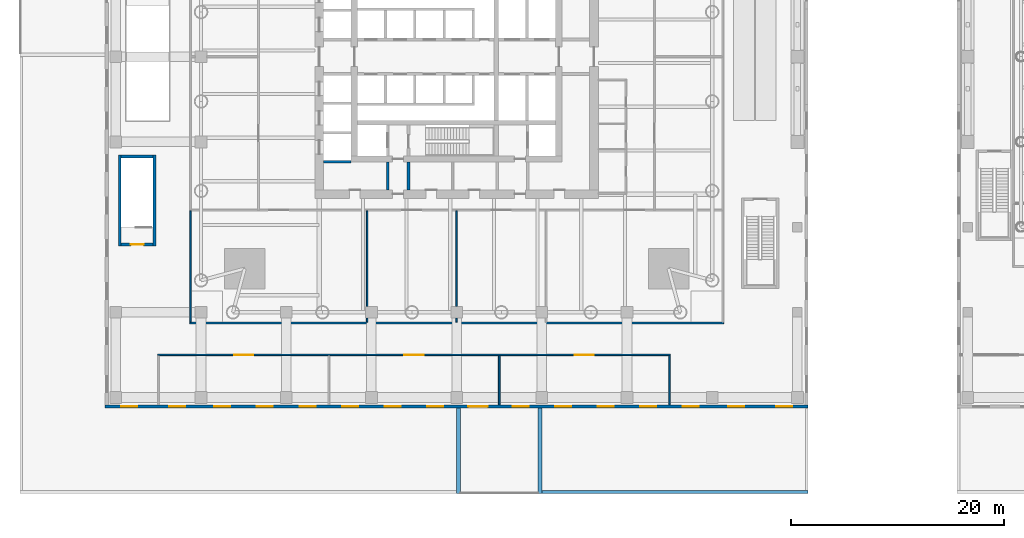
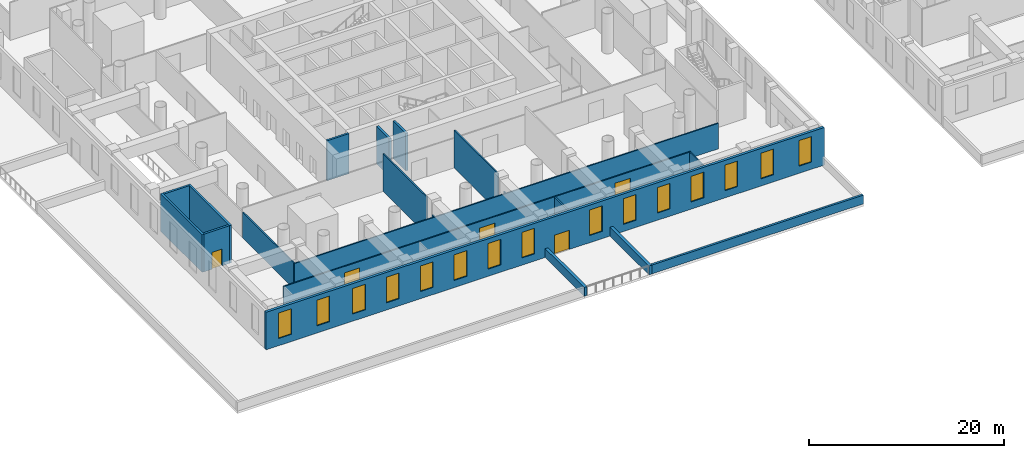
# One storey, part 8 of 26: 20 walls, 15 windows, 5 doors, 20 openings.
"""IFC4 building model written with IfcOpenShell, lengths in metres."""

from ifc_helpers import new_model, si_unit, direction, frame, frame_2d, origin, place, context, subcontext, project, spatial, rectangle, extrude, material, layer, layer_set, type_object, element, fill, save


model = new_model("IFC4")

# Units and contexts
model_context = context("Model", 3, precision=1e-05, world=origin(), true_north=direction((0.0, 1.0)))
body_context = subcontext(model_context, "Body", "Model", "MODEL_VIEW")
ifc_project = project(units=[si_unit("LENGTHUNIT", "METRE"), si_unit("AREAUNIT", "SQUARE_METRE"), si_unit("VOLUMEUNIT", "CUBIC_METRE"), si_unit("PLANEANGLEUNIT", "RADIAN"), si_unit("MASSUNIT", "GRAM", prefix="KILO")], contexts=[model_context])

# Site, building, storey
site_placement = place(None, origin())
site = spatial("IfcSite", under=ifc_project, at=site_placement, CompositionType="ELEMENT")
building_placement = place(site_placement, origin())
building = spatial("IfcBuilding", under=site, at=building_placement, Name="Ostroluk Exchange", CompositionType="ELEMENT")
storey_placement = place(building_placement, frame((0.0, 0.0, 6.0)))
storey = spatial("IfcBuildingStorey", under=building, at=storey_placement, Name="L01", CompositionType="ELEMENT", Elevation=6.0)

# Walls
ifc_material_1 = material(Name="Concrete blockwork", Category="masonry")
ifc_layer_1 = layer(ifc_material_1, 0.25)
ifc_layer_set_1 = layer_set([ifc_layer_1], Name="Blockwork stair enclosure wall 250")
wall_type_1 = type_object("IfcWallType", Name="Blockwork stair enclosure wall 250", PredefinedType="SOLIDWALL", material=ifc_layer_set_1)
for number, where, z_axis, x_axis, name in (
    (1, (38.52490234375, 33.5, 0.0), (0.0, 0.0, 1.0), (0.0, 1.0, 0.0), "Fire lobby enclosure wall"),
    (2, (40.47509765625, 33.5, 0.0), (0.0, 0.0, 1.0), (0.0, 1.0, 0.0), "Fire lobby enclosure wall"),
):
    element("IfcWall", number, at=place(storey_placement, frame(where, z_axis=z_axis, x_axis=x_axis)), inside=storey, type_object=wall_type_1, Name=name, PredefinedType="SOLIDWALL", context=body_context, shape_type="SweptSolid", body=[
        extrude(rectangle(XDim=2.60009765625, YDim=0.25, at=frame_2d((1.300048828125, 0.0))), origin(), (0.0, 0.0, 1.0), 4.699951171875),
    ])
for number, where, z_axis, x_axis, name in (
    (3, (13.375, 28.25, 0.0), (0.0, 0.0, 1.0), (0.0, 1.0, 0.0), "Stair PS1 enclosure wall"),
    (4, (16.625, 28.25, 0.0), (0.0, 0.0, 1.0), (0.0, 1.0, 0.0), "Stair PS1 enclosure wall"),
):
    element("IfcWall", number, at=place(storey_placement, frame(where, z_axis=z_axis, x_axis=x_axis)), inside=storey, type_object=wall_type_1, Name=name, PredefinedType="SOLIDWALL", context=body_context, shape_type="SweptSolid", body=[
        extrude(rectangle(XDim=8.5, YDim=0.25, at=frame_2d((4.25, 0.0))), origin(), (0.0, 0.0, 1.0), 4.699951171875),
    ])

# Wall, opening, door
wall_1_placement = place(storey_placement, frame((13.5, 28.375, 0.0), z_axis=(0.0, 0.0, 1.0), x_axis=(1.0, 0.0, 0.0)))
wall_1 = element("IfcWall", 5, at=wall_1_placement, inside=storey, type_object=wall_type_1, Name="Stair PS1 enclosure wall", PredefinedType="SOLIDWALL", context=body_context, shape_type="SweptSolid", body=[
    extrude(rectangle(XDim=3.0, YDim=0.25, at=frame_2d((1.5, 0.0))), origin(), (0.0, 0.0, 1.0), 4.699951171875),
])
opening_1_placement = place(wall_1_placement, frame((0.89990234375, 0.0, 0.0)))
opening_1 = element("IfcOpeningElement", 6, at=opening_1_placement, cuts=wall_1, Name="Opening FD60S", PredefinedType="OPENING", context=body_context, shape_type="SweptSolid", body=[
    extrude(rectangle(XDim=1.199951171875, YDim=2.10009765625, at=frame_2d((0.60009765625, 1.050048828125))), frame((0.0, 0.135009765625, 0.0), z_axis=(0.0, -1.0, 0.0), x_axis=(1.0, 0.0, 0.0)), (0.0, 0.0, 1.0), 0.27001953125),
])
ifc_material_2 = material(Name="Steel", Category="steel")
door_type_1 = type_object("IfcDoorType", Name="Stair door EI 60 1200 x 2100", OperationType="SINGLE_SWING_LEFT", PredefinedType="DOOR", material=ifc_material_2)
door_1_placement = place(opening_1_placement, origin())
door_1 = element("IfcDoor", 7, at=door_1_placement, inside=storey, type_object=door_type_1, Name="Stair PS1 door", OperationType="SINGLE_SWING_LEFT", OverallHeight=2.10009765625, OverallWidth=1.199951171875, PredefinedType="DOOR", context=body_context, shape_type="SweptSolid", body=[
    extrude(rectangle(XDim=1.199951171875, YDim=2.10009765625, at=frame_2d((0.60009765625, 1.050048828125))), frame((0.0, 0.02490234375, 0.0), z_axis=(0.0, -1.0, 0.0), x_axis=(1.0, 0.0, 0.0)), (0.0, 0.0, 1.0), 0.050048828125),
])
fill(opening_1, door_1)

# Walls
wall_2_placement = place(storey_placement, frame((13.5, 36.625, 0.0), z_axis=(0.0, 0.0, 1.0), x_axis=(1.0, 0.0, 0.0)))
element("IfcWall", 8, at=wall_2_placement, inside=storey, type_object=wall_type_1, Name="Stair PS1 enclosure wall", PredefinedType="SOLIDWALL", context=body_context, shape_type="SweptSolid", body=[
    extrude(rectangle(XDim=3.0, YDim=0.25, at=frame_2d((1.5, 0.0))), origin(), (0.0, 0.0, 1.0), 4.699951171875),
])
ifc_material_3 = material(Name="Concrete C40/50", Category="concrete")
ifc_layer_2 = layer(ifc_material_3, 0.25)
ifc_layer_set_2 = layer_set([ifc_layer_2], Name="Core shaft wall 250")
wall_type_2 = type_object("IfcWallType", Name="Core shaft wall 250", PredefinedType="SHEAR", material=ifc_layer_set_2)
wall_3_placement = place(storey_placement, frame((32.5, 36.125, 0.0), z_axis=(0.0, 0.0, 1.0), x_axis=(1.0, 0.0, 0.0)))
element("IfcWall", 9, at=wall_3_placement, inside=storey, type_object=wall_type_2, Name="Lift shaft wall", PredefinedType="SHEAR", context=body_context, shape_type="SweptSolid", body=[
    extrude(rectangle(XDim=2.60009765625, YDim=0.25, at=frame_2d((1.300048828125, 0.0))), origin(), (0.0, 0.0, 1.0), 5.0),
])
ifc_material_4 = material(Name="Limestone", Category="masonry")
ifc_layer_3 = layer(ifc_material_4, 0.25)
ifc_layer_set_3 = layer_set([ifc_layer_3], Name="Green roof parapet 250")
wall_type_3 = type_object("IfcWallType", Name="Green roof parapet 250", PredefinedType="PARAPET", material=ifc_layer_set_3)
wall_4_placement = place(storey_placement, frame((53.010009765625, 5.125, 0.0), z_axis=(0.0, 0.0, 1.0), x_axis=(1.0, 0.0, 0.0)))
element("IfcWall", 10, at=wall_4_placement, inside=storey, type_object=wall_type_3, Name="Green roof parapet L01 1", PredefinedType="PARAPET", context=body_context, shape_type="SweptSolid", body=[
    extrude(rectangle(XDim=24.989990234375, YDim=0.25, at=frame_2d((12.4951171875, 0.0))), origin(), (0.0, 0.0, 1.0), 1.10009765625),
])

# Wall, openings, windows, door
ifc_material_5 = material(Name="Limestone", Category="masonry")
ifc_layer_4 = layer(ifc_material_5, 0.300048828125)
ifc_layer_set_4 = layer_set([ifc_layer_4], Name="Limestone facade wall 300")
wall_type_4 = type_object("IfcWallType", Name="Limestone facade wall 300", PredefinedType="SOLIDWALL", material=ifc_layer_set_4)
wall_5_placement = place(storey_placement, frame((12.0, 13.14990234375, 0.0), z_axis=(0.0, 0.0, 1.0), x_axis=(1.0, 0.0, 0.0)))
wall_5 = element("IfcWall", 11, at=wall_5_placement, inside=storey, type_object=wall_type_4, Name="Podium west S wall L01 1a", PredefinedType="SOLIDWALL", context=body_context, shape_type="SweptSolid", body=[
    extrude(rectangle(XDim=66.0, YDim=0.300048828125, at=frame_2d((33.0, 0.0))), origin(), (0.0, 0.0, 1.0), 4.699951171875),
])
opening_2_placement = place(wall_5_placement, frame((1.5, 0.0, 0.89990234375)))
opening_2 = element("IfcOpeningElement", 12, at=opening_2_placement, cuts=wall_5, Name="Opening WN-L2", PredefinedType="OPENING", context=body_context, shape_type="SweptSolid", body=[
    extrude(rectangle(XDim=1.5, YDim=3.199951171875, at=frame_2d((0.75, 1.60009765625))), frame((0.0, 0.159912109375, 0.0), z_axis=(0.0, -1.0, 0.0), x_axis=(1.0, 0.0, 0.0)), (0.0, 0.0, 1.0), 0.320068359375),
])
opening_3_placement = place(wall_5_placement, frame((6.0, 0.0, 0.89990234375)))
opening_3 = element("IfcOpeningElement", 13, at=opening_3_placement, cuts=wall_5, Name="Opening WN-L2", PredefinedType="OPENING", context=body_context, shape_type="SweptSolid", body=[
    extrude(rectangle(XDim=1.5, YDim=3.199951171875, at=frame_2d((0.75, 1.60009765625))), frame((0.0, 0.159912109375, 0.0), z_axis=(0.0, -1.0, 0.0), x_axis=(1.0, 0.0, 0.0)), (0.0, 0.0, 1.0), 0.320068359375),
])
opening_4_placement = place(wall_5_placement, frame((10.25, 0.0, 0.89990234375)))
opening_4 = element("IfcOpeningElement", 14, at=opening_4_placement, cuts=wall_5, Name="Opening WN-L2", PredefinedType="OPENING", context=body_context, shape_type="SweptSolid", body=[
    extrude(rectangle(XDim=1.5, YDim=3.199951171875, at=frame_2d((0.75, 1.60009765625))), frame((0.0, 0.159912109375, 0.0), z_axis=(0.0, -1.0, 0.0), x_axis=(1.0, 0.0, 0.0)), (0.0, 0.0, 1.0), 0.320068359375),
])
opening_5_placement = place(wall_5_placement, frame((14.25, 0.0, 0.89990234375)))
opening_5 = element("IfcOpeningElement", 15, at=opening_5_placement, cuts=wall_5, Name="Opening WN-L2", PredefinedType="OPENING", context=body_context, shape_type="SweptSolid", body=[
    extrude(rectangle(XDim=1.5, YDim=3.199951171875, at=frame_2d((0.75, 1.60009765625))), frame((0.0, 0.159912109375, 0.0), z_axis=(0.0, -1.0, 0.0), x_axis=(1.0, 0.0, 0.0)), (0.0, 0.0, 1.0), 0.320068359375),
])
opening_6_placement = place(wall_5_placement, frame((18.25, 0.0, 0.89990234375)))
opening_6 = element("IfcOpeningElement", 16, at=opening_6_placement, cuts=wall_5, Name="Opening WN-L2", PredefinedType="OPENING", context=body_context, shape_type="SweptSolid", body=[
    extrude(rectangle(XDim=1.5, YDim=3.199951171875, at=frame_2d((0.75, 1.60009765625))), frame((0.0, 0.159912109375, 0.0), z_axis=(0.0, -1.0, 0.0), x_axis=(1.0, 0.0, 0.0)), (0.0, 0.0, 1.0), 0.320068359375),
])
opening_7_placement = place(wall_5_placement, frame((22.25, 0.0, 0.89990234375)))
opening_7 = element("IfcOpeningElement", 17, at=opening_7_placement, cuts=wall_5, Name="Opening WN-L2", PredefinedType="OPENING", context=body_context, shape_type="SweptSolid", body=[
    extrude(rectangle(XDim=1.5, YDim=3.199951171875, at=frame_2d((0.75, 1.60009765625))), frame((0.0, 0.159912109375, 0.0), z_axis=(0.0, -1.0, 0.0), x_axis=(1.0, 0.0, 0.0)), (0.0, 0.0, 1.0), 0.320068359375),
])
opening_8_placement = place(wall_5_placement, frame((26.25, 0.0, 0.89990234375)))
opening_8 = element("IfcOpeningElement", 18, at=opening_8_placement, cuts=wall_5, Name="Opening WN-L2", PredefinedType="OPENING", context=body_context, shape_type="SweptSolid", body=[
    extrude(rectangle(XDim=1.5, YDim=3.199951171875, at=frame_2d((0.75, 1.60009765625))), frame((0.0, 0.159912109375, 0.0), z_axis=(0.0, -1.0, 0.0), x_axis=(1.0, 0.0, 0.0)), (0.0, 0.0, 1.0), 0.320068359375),
])
opening_9_placement = place(wall_5_placement, frame((30.25, 0.0, 0.89990234375)))
opening_9 = element("IfcOpeningElement", 19, at=opening_9_placement, cuts=wall_5, Name="Opening WN-L2", PredefinedType="OPENING", context=body_context, shape_type="SweptSolid", body=[
    extrude(rectangle(XDim=1.5, YDim=3.199951171875, at=frame_2d((0.75, 1.60009765625))), frame((0.0, 0.159912109375, 0.0), z_axis=(0.0, -1.0, 0.0), x_axis=(1.0, 0.0, 0.0)), (0.0, 0.0, 1.0), 0.320068359375),
])
opening_10_placement = place(wall_5_placement, frame((34.10009765625, 0.0, 0.0)))
opening_10 = element("IfcOpeningElement", 20, at=opening_10_placement, cuts=wall_5, Name="Opening D-T1", PredefinedType="OPENING", context=body_context, shape_type="SweptSolid", body=[
    extrude(rectangle(XDim=1.800048828125, YDim=2.39990234375, at=frame_2d((0.89990234375, 1.199951171875))), frame((0.0, 0.159912109375, 0.0), z_axis=(0.0, -1.0, 0.0), x_axis=(1.0, 0.0, 0.0)), (0.0, 0.0, 1.0), 0.320068359375),
])
opening_11_placement = place(wall_5_placement, frame((38.25, 0.0, 0.89990234375)))
opening_11 = element("IfcOpeningElement", 21, at=opening_11_placement, cuts=wall_5, Name="Opening WN-L2", PredefinedType="OPENING", context=body_context, shape_type="SweptSolid", body=[
    extrude(rectangle(XDim=1.5, YDim=3.199951171875, at=frame_2d((0.75, 1.60009765625))), frame((0.0, 0.159912109375, 0.0), z_axis=(0.0, -1.0, 0.0), x_axis=(1.0, 0.0, 0.0)), (0.0, 0.0, 1.0), 0.320068359375),
])
opening_12_placement = place(wall_5_placement, frame((42.25, 0.0, 0.89990234375)))
opening_12 = element("IfcOpeningElement", 22, at=opening_12_placement, cuts=wall_5, Name="Opening WN-L2", PredefinedType="OPENING", context=body_context, shape_type="SweptSolid", body=[
    extrude(rectangle(XDim=1.5, YDim=3.199951171875, at=frame_2d((0.75, 1.60009765625))), frame((0.0, 0.159912109375, 0.0), z_axis=(0.0, -1.0, 0.0), x_axis=(1.0, 0.0, 0.0)), (0.0, 0.0, 1.0), 0.320068359375),
])
opening_13_placement = place(wall_5_placement, frame((46.25, 0.0, 0.89990234375)))
opening_13 = element("IfcOpeningElement", 23, at=opening_13_placement, cuts=wall_5, Name="Opening WN-L2", PredefinedType="OPENING", context=body_context, shape_type="SweptSolid", body=[
    extrude(rectangle(XDim=1.5, YDim=3.199951171875, at=frame_2d((0.75, 1.60009765625))), frame((0.0, 0.159912109375, 0.0), z_axis=(0.0, -1.0, 0.0), x_axis=(1.0, 0.0, 0.0)), (0.0, 0.0, 1.0), 0.320068359375),
])
opening_14_placement = place(wall_5_placement, frame((50.25, 0.0, 0.89990234375)))
opening_14 = element("IfcOpeningElement", 24, at=opening_14_placement, cuts=wall_5, Name="Opening WN-L2", PredefinedType="OPENING", context=body_context, shape_type="SweptSolid", body=[
    extrude(rectangle(XDim=1.5, YDim=3.199951171875, at=frame_2d((0.75, 1.60009765625))), frame((0.0, 0.159912109375, 0.0), z_axis=(0.0, -1.0, 0.0), x_axis=(1.0, 0.0, 0.0)), (0.0, 0.0, 1.0), 0.320068359375),
])
opening_15_placement = place(wall_5_placement, frame((54.25, 0.0, 0.89990234375)))
opening_15 = element("IfcOpeningElement", 25, at=opening_15_placement, cuts=wall_5, Name="Opening WN-L2", PredefinedType="OPENING", context=body_context, shape_type="SweptSolid", body=[
    extrude(rectangle(XDim=1.5, YDim=3.199951171875, at=frame_2d((0.75, 1.60009765625))), frame((0.0, 0.159912109375, 0.0), z_axis=(0.0, -1.0, 0.0), x_axis=(1.0, 0.0, 0.0)), (0.0, 0.0, 1.0), 0.320068359375),
])
opening_16_placement = place(wall_5_placement, frame((58.5, 0.0, 0.89990234375)))
opening_16 = element("IfcOpeningElement", 26, at=opening_16_placement, cuts=wall_5, Name="Opening WN-L2", PredefinedType="OPENING", context=body_context, shape_type="SweptSolid", body=[
    extrude(rectangle(XDim=1.5, YDim=3.199951171875, at=frame_2d((0.75, 1.60009765625))), frame((0.0, 0.159912109375, 0.0), z_axis=(0.0, -1.0, 0.0), x_axis=(1.0, 0.0, 0.0)), (0.0, 0.0, 1.0), 0.320068359375),
])
opening_17_placement = place(wall_5_placement, frame((63.0, 0.0, 0.89990234375)))
opening_17 = element("IfcOpeningElement", 27, at=opening_17_placement, cuts=wall_5, Name="Opening WN-L2", PredefinedType="OPENING", context=body_context, shape_type="SweptSolid", body=[
    extrude(rectangle(XDim=1.5, YDim=3.199951171875, at=frame_2d((0.75, 1.60009765625))), frame((0.0, 0.159912109375, 0.0), z_axis=(0.0, -1.0, 0.0), x_axis=(1.0, 0.0, 0.0)), (0.0, 0.0, 1.0), 0.320068359375),
])
ifc_material_6 = material(Name="Laminated clear glass", Category="glass")
window_type = type_object("IfcWindowType", Name="Podium lancet window 1500 x 3200", PartitioningType="DOUBLE_PANEL_VERTICAL", PredefinedType="WINDOW", material=ifc_material_6)
window_1_placement = place(opening_2_placement, origin())
window_1 = element("IfcWindow", 28, at=window_1_placement, inside=storey, type_object=window_type, Name="Podium west lancet window S L01 1.1", OverallHeight=3.199951171875, OverallWidth=1.5, PartitioningType="SINGLE_PANEL", PredefinedType="WINDOW", context=body_context, shape_type="SweptSolid", body=[
    extrude(rectangle(XDim=1.5, YDim=3.199951171875, at=frame_2d((0.75, 1.60009765625))), frame((0.0, 0.030029296875, 0.0), z_axis=(0.0, -1.0, 0.0), x_axis=(1.0, 0.0, 0.0)), (0.0, 0.0, 1.0), 0.06005859375),
])
fill(opening_2, window_1)
window_2_placement = place(opening_3_placement, origin())
window_2 = element("IfcWindow", 29, at=window_2_placement, inside=storey, type_object=window_type, Name="Podium west lancet window S L01 1.2", OverallHeight=3.199951171875, OverallWidth=1.5, PartitioningType="SINGLE_PANEL", PredefinedType="WINDOW", context=body_context, shape_type="SweptSolid", body=[
    extrude(rectangle(XDim=1.5, YDim=3.199951171875, at=frame_2d((0.75, 1.60009765625))), frame((0.0, 0.030029296875, 0.0), z_axis=(0.0, -1.0, 0.0), x_axis=(1.0, 0.0, 0.0)), (0.0, 0.0, 1.0), 0.06005859375),
])
fill(opening_3, window_2)
window_3_placement = place(opening_4_placement, origin())
window_3 = element("IfcWindow", 30, at=window_3_placement, inside=storey, type_object=window_type, Name="Podium west lancet window S L01 2.1", OverallHeight=3.199951171875, OverallWidth=1.5, PartitioningType="SINGLE_PANEL", PredefinedType="WINDOW", context=body_context, shape_type="SweptSolid", body=[
    extrude(rectangle(XDim=1.5, YDim=3.199951171875, at=frame_2d((0.75, 1.60009765625))), frame((0.0, 0.030029296875, 0.0), z_axis=(0.0, -1.0, 0.0), x_axis=(1.0, 0.0, 0.0)), (0.0, 0.0, 1.0), 0.06005859375),
])
fill(opening_4, window_3)
window_4_placement = place(opening_5_placement, origin())
window_4 = element("IfcWindow", 31, at=window_4_placement, inside=storey, type_object=window_type, Name="Podium west lancet window S L01 2.2", OverallHeight=3.199951171875, OverallWidth=1.5, PartitioningType="SINGLE_PANEL", PredefinedType="WINDOW", context=body_context, shape_type="SweptSolid", body=[
    extrude(rectangle(XDim=1.5, YDim=3.199951171875, at=frame_2d((0.75, 1.60009765625))), frame((0.0, 0.030029296875, 0.0), z_axis=(0.0, -1.0, 0.0), x_axis=(1.0, 0.0, 0.0)), (0.0, 0.0, 1.0), 0.06005859375),
])
fill(opening_5, window_4)
window_5_placement = place(opening_6_placement, origin())
window_5 = element("IfcWindow", 32, at=window_5_placement, inside=storey, type_object=window_type, Name="Podium west lancet window S L01 3.1", OverallHeight=3.199951171875, OverallWidth=1.5, PartitioningType="SINGLE_PANEL", PredefinedType="WINDOW", context=body_context, shape_type="SweptSolid", body=[
    extrude(rectangle(XDim=1.5, YDim=3.199951171875, at=frame_2d((0.75, 1.60009765625))), frame((0.0, 0.030029296875, 0.0), z_axis=(0.0, -1.0, 0.0), x_axis=(1.0, 0.0, 0.0)), (0.0, 0.0, 1.0), 0.06005859375),
])
fill(opening_6, window_5)
window_6_placement = place(opening_7_placement, origin())
window_6 = element("IfcWindow", 33, at=window_6_placement, inside=storey, type_object=window_type, Name="Podium west lancet window S L01 3.2", OverallHeight=3.199951171875, OverallWidth=1.5, PartitioningType="SINGLE_PANEL", PredefinedType="WINDOW", context=body_context, shape_type="SweptSolid", body=[
    extrude(rectangle(XDim=1.5, YDim=3.199951171875, at=frame_2d((0.75, 1.60009765625))), frame((0.0, 0.030029296875, 0.0), z_axis=(0.0, -1.0, 0.0), x_axis=(1.0, 0.0, 0.0)), (0.0, 0.0, 1.0), 0.06005859375),
])
fill(opening_7, window_6)
window_7_placement = place(opening_8_placement, origin())
window_7 = element("IfcWindow", 34, at=window_7_placement, inside=storey, type_object=window_type, Name="Podium west lancet window S L01 4.1", OverallHeight=3.199951171875, OverallWidth=1.5, PartitioningType="SINGLE_PANEL", PredefinedType="WINDOW", context=body_context, shape_type="SweptSolid", body=[
    extrude(rectangle(XDim=1.5, YDim=3.199951171875, at=frame_2d((0.75, 1.60009765625))), frame((0.0, 0.030029296875, 0.0), z_axis=(0.0, -1.0, 0.0), x_axis=(1.0, 0.0, 0.0)), (0.0, 0.0, 1.0), 0.06005859375),
])
fill(opening_8, window_7)
window_8_placement = place(opening_9_placement, origin())
window_8 = element("IfcWindow", 35, at=window_8_placement, inside=storey, type_object=window_type, Name="Podium west lancet window S L01 4.2", OverallHeight=3.199951171875, OverallWidth=1.5, PartitioningType="SINGLE_PANEL", PredefinedType="WINDOW", context=body_context, shape_type="SweptSolid", body=[
    extrude(rectangle(XDim=1.5, YDim=3.199951171875, at=frame_2d((0.75, 1.60009765625))), frame((0.0, 0.030029296875, 0.0), z_axis=(0.0, -1.0, 0.0), x_axis=(1.0, 0.0, 0.0)), (0.0, 0.0, 1.0), 0.06005859375),
])
fill(opening_9, window_8)
window_9_placement = place(opening_11_placement, origin())
window_9 = element("IfcWindow", 36, at=window_9_placement, inside=storey, type_object=window_type, Name="Podium west lancet window S L01 5.2", OverallHeight=3.199951171875, OverallWidth=1.5, PartitioningType="SINGLE_PANEL", PredefinedType="WINDOW", context=body_context, shape_type="SweptSolid", body=[
    extrude(rectangle(XDim=1.5, YDim=3.199951171875, at=frame_2d((0.75, 1.60009765625))), frame((0.0, 0.030029296875, 0.0), z_axis=(0.0, -1.0, 0.0), x_axis=(1.0, 0.0, 0.0)), (0.0, 0.0, 1.0), 0.06005859375),
])
fill(opening_11, window_9)
window_10_placement = place(opening_12_placement, origin())
window_10 = element("IfcWindow", 37, at=window_10_placement, inside=storey, type_object=window_type, Name="Podium west lancet window S L01 6.1", OverallHeight=3.199951171875, OverallWidth=1.5, PartitioningType="SINGLE_PANEL", PredefinedType="WINDOW", context=body_context, shape_type="SweptSolid", body=[
    extrude(rectangle(XDim=1.5, YDim=3.199951171875, at=frame_2d((0.75, 1.60009765625))), frame((0.0, 0.030029296875, 0.0), z_axis=(0.0, -1.0, 0.0), x_axis=(1.0, 0.0, 0.0)), (0.0, 0.0, 1.0), 0.06005859375),
])
fill(opening_12, window_10)
window_11_placement = place(opening_13_placement, origin())
window_11 = element("IfcWindow", 38, at=window_11_placement, inside=storey, type_object=window_type, Name="Podium west lancet window S L01 6.2", OverallHeight=3.199951171875, OverallWidth=1.5, PartitioningType="SINGLE_PANEL", PredefinedType="WINDOW", context=body_context, shape_type="SweptSolid", body=[
    extrude(rectangle(XDim=1.5, YDim=3.199951171875, at=frame_2d((0.75, 1.60009765625))), frame((0.0, 0.030029296875, 0.0), z_axis=(0.0, -1.0, 0.0), x_axis=(1.0, 0.0, 0.0)), (0.0, 0.0, 1.0), 0.06005859375),
])
fill(opening_13, window_11)
window_12_placement = place(opening_14_placement, origin())
window_12 = element("IfcWindow", 39, at=window_12_placement, inside=storey, type_object=window_type, Name="Podium west lancet window S L01 7.1", OverallHeight=3.199951171875, OverallWidth=1.5, PartitioningType="SINGLE_PANEL", PredefinedType="WINDOW", context=body_context, shape_type="SweptSolid", body=[
    extrude(rectangle(XDim=1.5, YDim=3.199951171875, at=frame_2d((0.75, 1.60009765625))), frame((0.0, 0.030029296875, 0.0), z_axis=(0.0, -1.0, 0.0), x_axis=(1.0, 0.0, 0.0)), (0.0, 0.0, 1.0), 0.06005859375),
])
fill(opening_14, window_12)
window_13_placement = place(opening_15_placement, origin())
window_13 = element("IfcWindow", 40, at=window_13_placement, inside=storey, type_object=window_type, Name="Podium west lancet window S L01 7.2", OverallHeight=3.199951171875, OverallWidth=1.5, PartitioningType="SINGLE_PANEL", PredefinedType="WINDOW", context=body_context, shape_type="SweptSolid", body=[
    extrude(rectangle(XDim=1.5, YDim=3.199951171875, at=frame_2d((0.75, 1.60009765625))), frame((0.0, 0.030029296875, 0.0), z_axis=(0.0, -1.0, 0.0), x_axis=(1.0, 0.0, 0.0)), (0.0, 0.0, 1.0), 0.06005859375),
])
fill(opening_15, window_13)
window_14_placement = place(opening_16_placement, origin())
window_14 = element("IfcWindow", 41, at=window_14_placement, inside=storey, type_object=window_type, Name="Podium west lancet window S L01 8.1", OverallHeight=3.199951171875, OverallWidth=1.5, PartitioningType="SINGLE_PANEL", PredefinedType="WINDOW", context=body_context, shape_type="SweptSolid", body=[
    extrude(rectangle(XDim=1.5, YDim=3.199951171875, at=frame_2d((0.75, 1.60009765625))), frame((0.0, 0.030029296875, 0.0), z_axis=(0.0, -1.0, 0.0), x_axis=(1.0, 0.0, 0.0)), (0.0, 0.0, 1.0), 0.06005859375),
])
fill(opening_16, window_14)
window_15_placement = place(opening_17_placement, origin())
window_15 = element("IfcWindow", 42, at=window_15_placement, inside=storey, type_object=window_type, Name="Podium west lancet window S L01 8.2", OverallHeight=3.199951171875, OverallWidth=1.5, PartitioningType="SINGLE_PANEL", PredefinedType="WINDOW", context=body_context, shape_type="SweptSolid", body=[
    extrude(rectangle(XDim=1.5, YDim=3.199951171875, at=frame_2d((0.75, 1.60009765625))), frame((0.0, 0.030029296875, 0.0), z_axis=(0.0, -1.0, 0.0), x_axis=(1.0, 0.0, 0.0)), (0.0, 0.0, 1.0), 0.06005859375),
])
fill(opening_17, window_15)
ifc_material_7 = material(Name="Bronze framed glazed door", Category="aluminium")
door_type_2 = type_object("IfcDoorType", Name="Terrace double door 1800 x 2400", OperationType="DOUBLE_DOOR_SINGLE_SWING", PredefinedType="DOOR", material=ifc_material_7)
door_2_placement = place(opening_10_placement, origin())
door_2 = element("IfcDoor", 43, at=door_2_placement, inside=storey, type_object=door_type_2, Name="Podium west terrace door S L01 5", OperationType="DOUBLE_DOOR_SINGLE_SWING", OverallHeight=2.39990234375, OverallWidth=1.800048828125, PredefinedType="DOOR", context=body_context, shape_type="SweptSolid", body=[
    extrude(rectangle(XDim=1.800048828125, YDim=2.39990234375, at=frame_2d((0.89990234375, 1.199951171875))), frame((0.0, 0.02490234375, 0.0), z_axis=(0.0, -1.0, 0.0), x_axis=(1.0, 0.0, 0.0)), (0.0, 0.0, 1.0), 0.050048828125),
])
fill(opening_10, door_2)

# Walls
ifc_material_8 = material(Name="Limestone", Category="masonry")
ifc_layer_5 = layer(ifc_material_8, 0.35009765625)
ifc_layer_set_5 = layer_set([ifc_layer_5], Name="Planter wall 350")
wall_type_5 = type_object("IfcWallType", Name="Planter wall 350", PredefinedType="PARAPET", material=ifc_layer_set_5)
for number, where, z_axis, x_axis, name in (
    (44, (45.175048828125, 5.0, 0.0), (0.0, 0.0, 1.0), (0.0, 1.0, 0.0), "Terrace planter wall L01 1"),
    (45, (52.824951171875, 5.0, 0.0), (0.0, 0.0, 1.0), (0.0, 1.0, 0.0), "Terrace planter wall L01 2"),
):
    element("IfcWall", number, at=place(storey_placement, frame(where, z_axis=z_axis, x_axis=x_axis)), inside=storey, type_object=wall_type_5, Name=name, PredefinedType="PARAPET", context=body_context, shape_type="SweptSolid", body=[
        extrude(rectangle(XDim=8.0, YDim=0.35009765625, at=frame_2d((4.0, 0.0))), origin(), (0.0, 0.0, 1.0), 1.10009765625),
    ])

# Wall, openings, doors
ifc_material_9 = material(Name="Gypsum plasterboard partition", Category="gypsum")
ifc_layer_6 = layer(ifc_material_9, 0.14990234375)
ifc_layer_set_6 = layer_set([ifc_layer_6], Name="Plasterboard partition 150")
wall_type_6 = type_object("IfcWallType", Name="Plasterboard partition 150", PredefinedType="PARTITIONING", material=ifc_layer_set_6)
wall_6_placement = place(storey_placement, frame((16.925048828125, 18.0, 0.0), z_axis=(0.0, 0.0, 1.0), x_axis=(1.0, 0.0, 0.0)))
wall_6 = element("IfcWall", 46, at=wall_6_placement, inside=storey, type_object=wall_type_6, Name="Partition", PredefinedType="PARTITIONING", context=body_context, shape_type="SweptSolid", body=[
    extrude(rectangle(XDim=48.14990234375, YDim=0.14990234375, at=frame_2d((24.074951171875, 0.0))), origin(), (0.0, 0.0, 1.0), 3.199951171875),
])
opening_18_placement = place(wall_6_placement, frame((7.175048828125, 0.0, 0.0)))
opening_18 = element("IfcOpeningElement", 47, at=opening_18_placement, cuts=wall_6, Name="Opening D-04", PredefinedType="OPENING", context=body_context, shape_type="SweptSolid", body=[
    extrude(rectangle(XDim=1.800048828125, YDim=2.39990234375, at=frame_2d((0.89990234375, 1.199951171875))), frame((0.0, 0.0849609375, 0.0), z_axis=(0.0, -1.0, 0.0), x_axis=(1.0, 0.0, 0.0)), (0.0, 0.0, 1.0), 0.169921875),
])
opening_19_placement = place(wall_6_placement, frame((23.175048828125, 0.0, 0.0)))
opening_19 = element("IfcOpeningElement", 48, at=opening_19_placement, cuts=wall_6, Name="Opening D-04", PredefinedType="OPENING", context=body_context, shape_type="SweptSolid", body=[
    extrude(rectangle(XDim=1.800048828125, YDim=2.39990234375, at=frame_2d((0.89990234375, 1.199951171875))), frame((0.0, 0.0849609375, 0.0), z_axis=(0.0, -1.0, 0.0), x_axis=(1.0, 0.0, 0.0)), (0.0, 0.0, 1.0), 0.169921875),
])
opening_20_placement = place(wall_6_placement, frame((39.175048828125, 0.0, 0.0)))
opening_20 = element("IfcOpeningElement", 49, at=opening_20_placement, cuts=wall_6, Name="Opening D-04", PredefinedType="OPENING", context=body_context, shape_type="SweptSolid", body=[
    extrude(rectangle(XDim=1.800048828125, YDim=2.39990234375, at=frame_2d((0.89990234375, 1.199951171875))), frame((0.0, 0.0849609375, 0.0), z_axis=(0.0, -1.0, 0.0), x_axis=(1.0, 0.0, 0.0)), (0.0, 0.0, 1.0), 0.169921875),
])
ifc_material_10 = material(Name="Timber", Category="wood")
door_type_3 = type_object("IfcDoorType", Name="Double door 1800 x 2400", OperationType="DOUBLE_DOOR_SINGLE_SWING", PredefinedType="DOOR", material=ifc_material_10)
door_3_placement = place(opening_18_placement, origin())
door_3 = element("IfcDoor", 50, at=door_3_placement, inside=storey, type_object=door_type_3, Name="Retail unit door", OperationType="DOUBLE_DOOR_SINGLE_SWING", OverallHeight=2.39990234375, OverallWidth=1.800048828125, PredefinedType="DOOR", context=body_context, shape_type="SweptSolid", body=[
    extrude(rectangle(XDim=1.800048828125, YDim=2.39990234375, at=frame_2d((0.89990234375, 1.199951171875))), frame((0.0, 0.02490234375, 0.0), z_axis=(0.0, -1.0, 0.0), x_axis=(1.0, 0.0, 0.0)), (0.0, 0.0, 1.0), 0.050048828125),
])
fill(opening_18, door_3)
door_4_placement = place(opening_19_placement, origin())
door_4 = element("IfcDoor", 51, at=door_4_placement, inside=storey, type_object=door_type_3, Name="Retail unit door", OperationType="DOUBLE_DOOR_SINGLE_SWING", OverallHeight=2.39990234375, OverallWidth=1.800048828125, PredefinedType="DOOR", context=body_context, shape_type="SweptSolid", body=[
    extrude(rectangle(XDim=1.800048828125, YDim=2.39990234375, at=frame_2d((0.89990234375, 1.199951171875))), frame((0.0, 0.02490234375, 0.0), z_axis=(0.0, -1.0, 0.0), x_axis=(1.0, 0.0, 0.0)), (0.0, 0.0, 1.0), 0.050048828125),
])
fill(opening_19, door_4)
door_5_placement = place(opening_20_placement, origin())
door_5 = element("IfcDoor", 52, at=door_5_placement, inside=storey, type_object=door_type_3, Name="Retail unit door", OperationType="DOUBLE_DOOR_SINGLE_SWING", OverallHeight=2.39990234375, OverallWidth=1.800048828125, PredefinedType="DOOR", context=body_context, shape_type="SweptSolid", body=[
    extrude(rectangle(XDim=1.800048828125, YDim=2.39990234375, at=frame_2d((0.89990234375, 1.199951171875))), frame((0.0, 0.02490234375, 0.0), z_axis=(0.0, -1.0, 0.0), x_axis=(1.0, 0.0, 0.0)), (0.0, 0.0, 1.0), 0.050048828125),
])
fill(opening_20, door_5)

# Walls
for number, where, z_axis, x_axis, name in (
    (53, (49.0, 17.925048828125, 0.0), (0.0, 0.0, 1.0), (0.0, -1.0, 0.0), "Partition"),
    (54, (65.0, 17.925048828125, 0.0), (0.0, 0.0, 1.0), (0.0, -1.0, 0.0), "Partition"),
):
    element("IfcWall", number, at=place(storey_placement, frame(where, z_axis=z_axis, x_axis=x_axis)), inside=storey, type_object=wall_type_6, Name=name, PredefinedType="PARTITIONING", context=body_context, shape_type="SweptSolid", body=[
        extrude(rectangle(XDim=4.625, YDim=0.14990234375, at=frame_2d((2.3125, 0.0))), origin(), (0.0, 0.0, 1.0), 3.199951171875),
    ])
wall_7_placement = place(storey_placement, frame((19.925048828125, 21.0, 0.0), z_axis=(0.0, 0.0, 1.0), x_axis=(1.0, 0.0, 0.0)))
element("IfcWall", 55, at=wall_7_placement, inside=storey, type_object=wall_type_6, Name="Partition", PredefinedType="PARTITIONING", context=body_context, shape_type="SweptSolid", body=[
    extrude(rectangle(XDim=50.14990234375, YDim=0.14990234375, at=frame_2d((25.074951171875, 0.0))), origin(), (0.0, 0.0, 1.0), 3.199951171875),
])
wall_8_placement = place(storey_placement, frame((20.0, 21.074951171875, 0.0), z_axis=(0.0, 0.0, 1.0), x_axis=(0.0, 1.0, 0.0)))
element("IfcWall", 56, at=wall_8_placement, inside=storey, type_object=wall_type_6, Name="Partition", PredefinedType="PARTITIONING", context=body_context, shape_type="SweptSolid", body=[
    extrude(rectangle(XDim=10.449951171875, YDim=0.14990234375, at=frame_2d((5.22509765625, 0.0))), origin(), (0.0, 0.0, 1.0), 3.199951171875),
])
wall_9_placement = place(storey_placement, frame((36.60009765625, 21.074951171875, 0.0), z_axis=(0.0, 0.0, 1.0), x_axis=(0.0, 1.0, 0.0)))
element("IfcWall", 57, at=wall_9_placement, inside=storey, type_object=wall_type_6, Name="Partition", PredefinedType="PARTITIONING", context=body_context, shape_type="SweptSolid", body=[
    extrude(rectangle(XDim=0.375, YDim=0.14990234375, at=frame_2d((0.1875, 0.0))), origin(), (0.0, 0.0, 1.0), 3.199951171875),
])
wall_10_placement = place(storey_placement, frame((36.60009765625, 22.550048828125, 0.0), z_axis=(0.0, 0.0, 1.0), x_axis=(0.0, 1.0, 0.0)))
element("IfcWall", 58, at=wall_10_placement, inside=storey, type_object=wall_type_6, Name="Partition", PredefinedType="PARTITIONING", context=body_context, shape_type="SweptSolid", body=[
    extrude(rectangle(XDim=8.974853515625, YDim=0.14990234375, at=frame_2d((4.4873046875, 0.0))), origin(), (0.0, 0.0, 1.0), 4.699951171875),
])
wall_11_placement = place(storey_placement, frame((45.0, 21.074951171875, 0.0), z_axis=(0.0, 0.0, 1.0), x_axis=(0.0, 1.0, 0.0)))
element("IfcWall", 59, at=wall_11_placement, inside=storey, type_object=wall_type_6, Name="Partition", PredefinedType="PARTITIONING", context=body_context, shape_type="SweptSolid", body=[
    extrude(rectangle(XDim=0.375, YDim=0.14990234375, at=frame_2d((0.1875, 0.0))), origin(), (0.0, 0.0, 1.0), 3.199951171875),
])
wall_12_placement = place(storey_placement, frame((45.0, 22.550048828125, 0.0), z_axis=(0.0, 0.0, 1.0), x_axis=(0.0, 1.0, 0.0)))
element("IfcWall", 60, at=wall_12_placement, inside=storey, type_object=wall_type_6, Name="Partition", PredefinedType="PARTITIONING", context=body_context, shape_type="SweptSolid", body=[
    extrude(rectangle(XDim=8.974853515625, YDim=0.14990234375, at=frame_2d((4.4873046875, 0.0))), origin(), (0.0, 0.0, 1.0), 4.699951171875),
])

save(model, "model.ifc")
